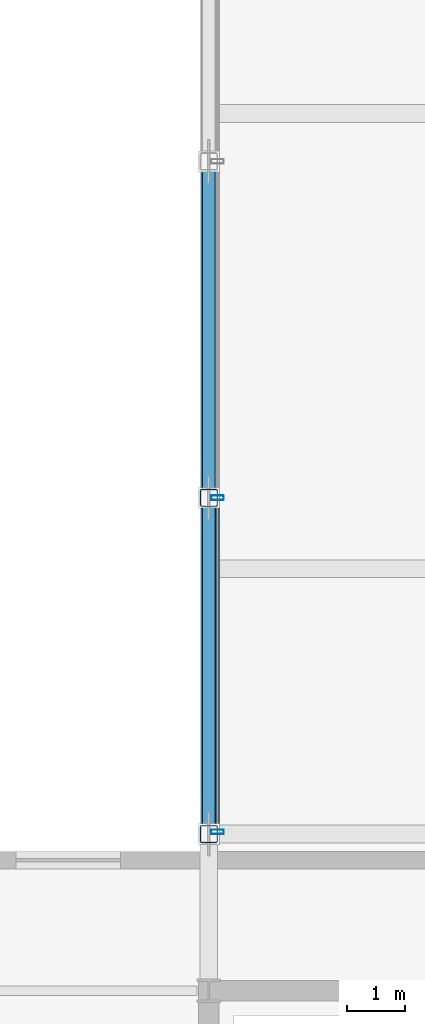
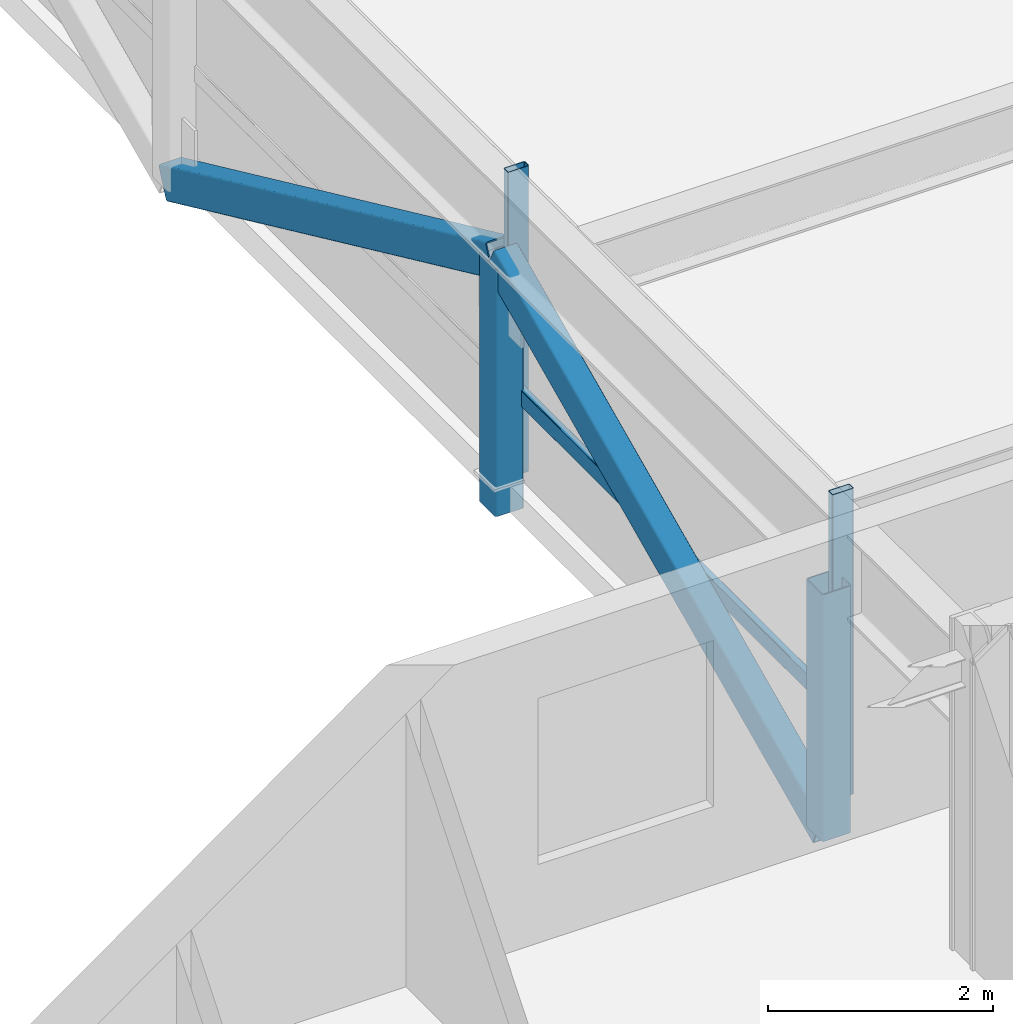
# One storey, part 4 of 36: 7 members, 1 element without a shape of its own.
"""IFC4 building model written with IfcOpenShell, lengths in metres."""

from ifc_helpers import new_model, si_unit, direction, frame, origin, origin_2d, place, context, subcontext, project, spatial, hollow_rectangle, extrude, material, layer, layer_set, material_profile, profile_set, type_object, element, aggregate, save


model = new_model("IFC4")

# Units and contexts
model_context = context("Model", 3, precision=1e-05, world=origin(), true_north=direction((0.0, 1.0)))
body_context = subcontext(model_context, "Body", "Model", "MODEL_VIEW")
ifc_project = project(units=[si_unit("LENGTHUNIT", "METRE"), si_unit("AREAUNIT", "SQUARE_METRE"), si_unit("VOLUMEUNIT", "CUBIC_METRE"), si_unit("PLANEANGLEUNIT", "RADIAN"), si_unit("MASSUNIT", "GRAM", prefix="KILO")], contexts=[model_context])

# Site, building, storey
site_placement = place(None, origin())
site = spatial("IfcSite", under=ifc_project, at=site_placement, CompositionType="ELEMENT")
building_placement = place(site_placement, origin())
building = spatial("IfcBuilding", under=site, at=building_placement, Name="Korimba Cascade Residences", CompositionType="ELEMENT")
storey_placement = place(building_placement, frame((0.0, 0.0, 142.89990234375)))
storey = spatial("IfcBuildingStorey", under=building, at=storey_placement, Name="L41", CompositionType="ELEMENT", Elevation=142.89990234375)

# Curtain wall, members
ifc_material_1 = material(Name="Anodised Aluminium Curtain Wall Framing", Category="aluminium")
ifc_layer = layer(ifc_material_1, 0.179931640625)
ifc_layer_set = layer_set([ifc_layer], Name="Anodised Aluminium Curtain Wall Framing")
curtain_wall_type = type_object("IfcCurtainWallType", Name="CW-BRG-SYS3", PredefinedType="NOTDEFINED", material=ifc_layer_set)
curtain_wall_placement = place(storey_placement, origin())
curtain_wall = element("IfcCurtainWall", 1, at=curtain_wall_placement, inside=storey, type_object=curtain_wall_type, Name="L41 Curtain Wall CW-L41-BRG-W", PredefinedType="NOTDEFINED")
ifc_material_2 = material(Name="Anodised Aluminium Mullion", Category="aluminium")
ifc_material_profile_1 = material_profile(ifc_material_2, hollow_rectangle(XDim=0.080078125, YDim=0.219970703125, WallThickness=0.00634765625, InnerFilletRadius=0.00634765625, OuterFilletRadius=0.0126953125, at=origin_2d()), Name="Anodised Aluminium Mullion")
ifc_profile_set_1 = profile_set([ifc_material_profile_1], Name="Anodised Aluminium Mullion")
member_type_1 = type_object("IfcMemberType", Name="CWM-MUL-220", PredefinedType="MULLION", material=ifc_profile_set_1)
member_1_placement = place(storey_placement, frame((82.25, 33.139892578125, 0.0), z_axis=(0.0, 0.0, 1.0), x_axis=(0.0, 1.0, 0.0)))
member_1 = element("IfcMember", 2, at=member_1_placement, type_object=member_type_1, Name="CW-L41-BRG-W Mullion 1", PredefinedType="MULLION", context=body_context, shape_type="SweptSolid", body=[
    extrude(hollow_rectangle(XDim=0.080078125, YDim=0.219970703125, WallThickness=0.00634765625, InnerFilletRadius=0.00634765625, OuterFilletRadius=0.0126953125, at=origin_2d()), origin(), (0.0, 0.0, 1.0), 3.31005859375),
])
member_2_placement = place(storey_placement, frame((82.25, 38.89990234375, 0.0), z_axis=(0.0, 0.0, 1.0), x_axis=(0.0, 1.0, 0.0)))
member_2 = element("IfcMember", 3, at=member_2_placement, type_object=member_type_1, Name="CW-L41-BRG-W Mullion 2", PredefinedType="MULLION", context=body_context, shape_type="SweptSolid", body=[
    extrude(hollow_rectangle(XDim=0.080078125, YDim=0.219970703125, WallThickness=0.00634765625, InnerFilletRadius=0.00634765625, OuterFilletRadius=0.0126953125, at=origin_2d()), origin(), (0.0, 0.0, 1.0), 3.31005859375),
])
ifc_material_3 = material(Name="Anodised Aluminium Transom", Category="aluminium")
ifc_material_profile_2 = material_profile(ifc_material_3, hollow_rectangle(XDim=0.070068359375, YDim=0.179931640625, WallThickness=0.0048828125, InnerFilletRadius=0.0048828125, OuterFilletRadius=0.010009765625, at=origin_2d()), Name="Anodised Aluminium Transom")
ifc_profile_set_2 = profile_set([ifc_material_profile_2], Name="Anodised Aluminium Transom")
member_type_2 = type_object("IfcMemberType", Name="CWM-TRN-150", PredefinedType="USERDEFINED", material=ifc_profile_set_2)
member_3_placement = place(storey_placement, frame((82.25, 33.139892578125, 0.900146484375), z_axis=(0.0, 1.0, 0.0), x_axis=(-1.0, 0.0, 0.0)))
member_3 = element("IfcMember", 4, at=member_3_placement, type_object=member_type_2, Name="CW-L41-BRG-W Transom 1", ObjectType="TRANSOM", PredefinedType="USERDEFINED", context=body_context, shape_type="SweptSolid", body=[
    extrude(hollow_rectangle(XDim=0.070068359375, YDim=0.179931640625, WallThickness=0.0048828125, InnerFilletRadius=0.0048828125, OuterFilletRadius=0.010009765625, at=origin_2d()), origin(), (0.0, 0.0, 1.0), 5.760009765625),
])
aggregate(curtain_wall, [member_1, member_2, member_3])

# Members
ifc_material_4 = material(Name="Steel S460", Category="steel")
ifc_material_profile_3 = material_profile(ifc_material_4, hollow_rectangle(XDim=0.25, YDim=0.35009765625, WallThickness=0.012451171875, InnerFilletRadius=0.012451171875, OuterFilletRadius=0.02490234375, at=origin_2d()), Name="Steel S460")
ifc_profile_set_3 = profile_set([ifc_material_profile_3], Name="Steel S460")
member_type_3 = type_object("IfcMemberType", Name="MEM-BRG-SHS350", PredefinedType="BRACE", material=ifc_profile_set_3)
member_4_placement = place(storey_placement, frame((82.10009765625, 33.10009765625, -0.289794921875), z_axis=(0.0, 0.90816738731, 0.418607210433), x_axis=(-1.0, 0.0, 0.0)))
element("IfcMember", 5, at=member_4_placement, inside=storey, type_object=member_type_3, Name="L41 Mid-Bridge Warren Diagonal W1", PredefinedType="BRACE", context=body_context, shape_type="SweptSolid", body=[
    extrude(hollow_rectangle(XDim=0.25, YDim=0.35009765625, WallThickness=0.012451171875, InnerFilletRadius=0.012451171875, OuterFilletRadius=0.02490234375, at=origin_2d()), origin(), (0.0, 0.0, 1.0), 6.38623046875),
])
member_5_placement = place(storey_placement, frame((82.10009765625, 38.89990234375, 2.383544921875), z_axis=(0.0, 0.9081740859, -0.418592677552), x_axis=(-1.0, 0.0, 0.0)))
element("IfcMember", 6, at=member_5_placement, inside=storey, type_object=member_type_3, Name="L41 Mid-Bridge Warren Diagonal W2", PredefinedType="BRACE", context=body_context, shape_type="SweptSolid", body=[
    extrude(hollow_rectangle(XDim=0.25, YDim=0.35009765625, WallThickness=0.012451171875, InnerFilletRadius=0.012451171875, OuterFilletRadius=0.02490234375, at=origin_2d()), origin(), (0.0, 0.0, 1.0), 6.386474609375),
])
ifc_material_profile_4 = material_profile(ifc_material_4, hollow_rectangle(XDim=0.300048828125, YDim=0.300048828125, WallThickness=0.012451171875, InnerFilletRadius=0.012451171875, OuterFilletRadius=0.02490234375, at=origin_2d()), Name="Steel S460")
ifc_profile_set_4 = profile_set([ifc_material_profile_4], Name="Steel S460")
member_type_4 = type_object("IfcMemberType", Name="MEM-BRG-STR300", PredefinedType="STRUT", material=ifc_profile_set_4)
for number, where, z_axis, x_axis, name in (
    (7, (82.10009765625, 33.10009765625, -0.289794921875), (0.0, 0.0, 1.0), (1.0, 0.0, 0.0), "L41 Mid-Bridge Warren Web Post W1"),
    (8, (82.10009765625, 38.89990234375, -0.289794921875), (0.0, 0.0, 1.0), (1.0, 0.0, 0.0), "L41 Mid-Bridge Warren Web Post W2"),
):
    element("IfcMember", number, at=place(storey_placement, frame(where, z_axis=z_axis, x_axis=x_axis)), inside=storey, type_object=member_type_4, Name=name, PredefinedType="STRUT", context=body_context, shape_type="SweptSolid", body=[
        extrude(hollow_rectangle(XDim=0.300048828125, YDim=0.300048828125, WallThickness=0.012451171875, InnerFilletRadius=0.012451171875, OuterFilletRadius=0.02490234375, at=origin_2d()), origin(), (0.0, 0.0, 1.0), 2.67333984375),
    ])

save(model, "model.ifc")
